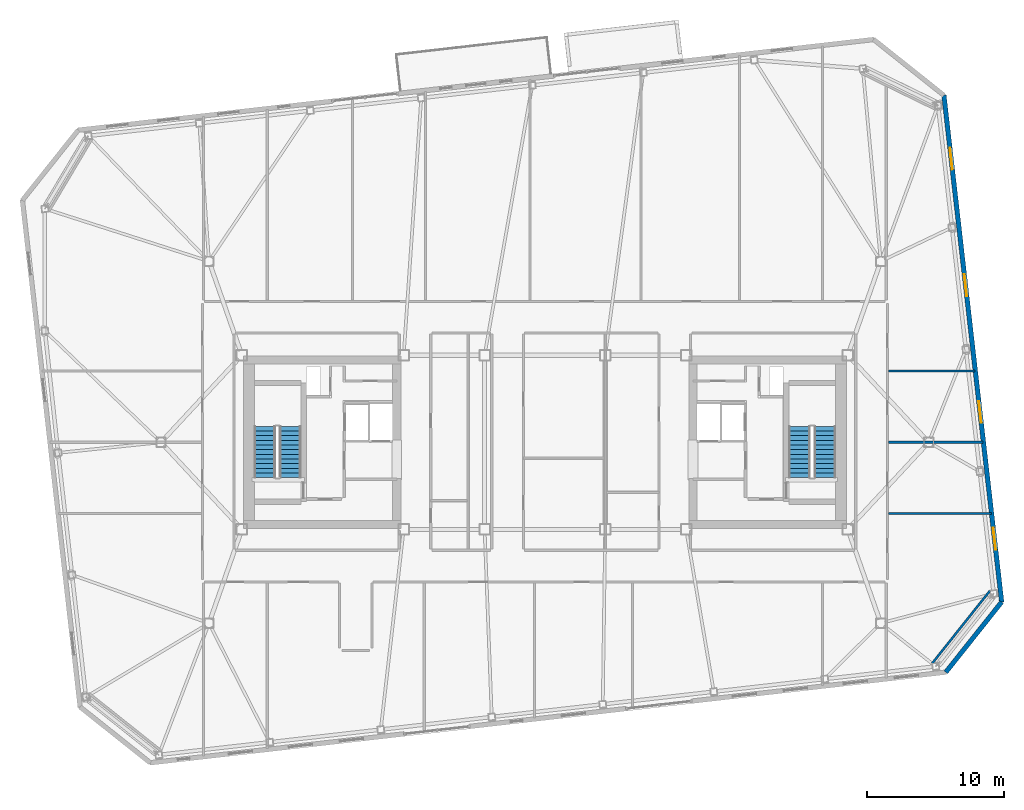
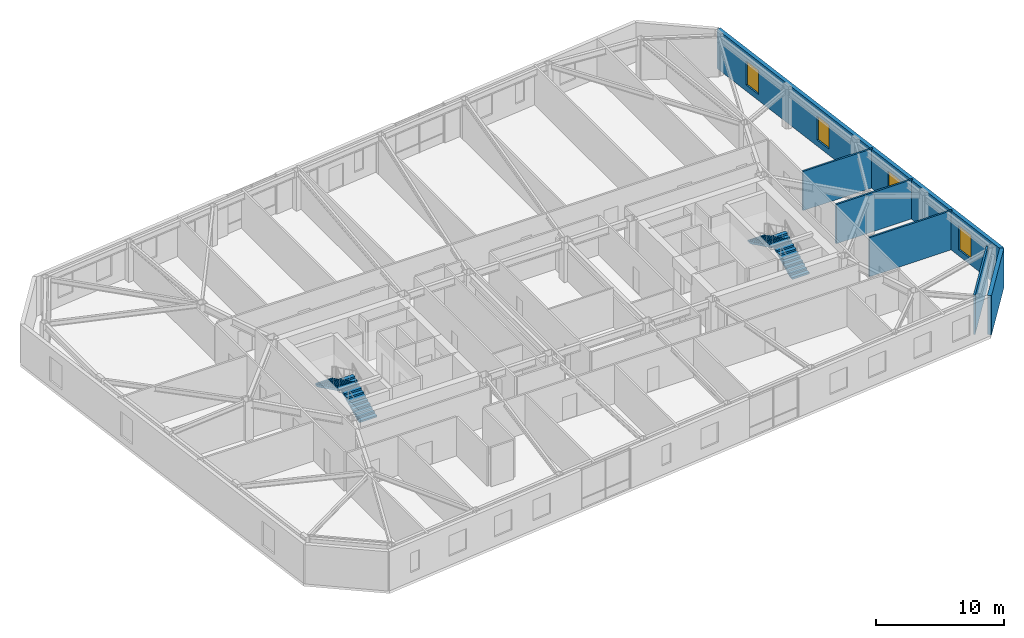
# One storey, part 16 of 20: 6 walls, 4 stair flights, 4 windows, 4 openings, 2 elements without a shape of their own.
"""IFC4 building model written with IfcOpenShell, lengths in metres."""

from ifc_helpers import new_model, si_unit, direction, frame, frame_2d, origin, place, context, subcontext, project, spatial, polyline, rectangle, outline, extrude, material, layer, layer_set, type_object, element, fill, aggregate, save


model = new_model("IFC4")

# Units and contexts
model_context = context("Model", 3, precision=1e-05, world=origin(), true_north=direction((0.0, 1.0)))
body_context = subcontext(model_context, "Body", "Model", "MODEL_VIEW")
ifc_project = project(units=[si_unit("LENGTHUNIT", "METRE"), si_unit("AREAUNIT", "SQUARE_METRE"), si_unit("VOLUMEUNIT", "CUBIC_METRE"), si_unit("PLANEANGLEUNIT", "RADIAN"), si_unit("MASSUNIT", "GRAM", prefix="KILO")], contexts=[model_context])

# Site, building, storey
site_placement = place(None, origin())
site = spatial("IfcSite", under=ifc_project, at=site_placement, CompositionType="ELEMENT")
building_placement = place(site_placement, origin())
building = spatial("IfcBuilding", under=site, at=building_placement, Name="Tavrogorsk Clinical Tower", CompositionType="ELEMENT")
storey_placement = place(building_placement, frame((0.0, 0.0, 251.0)))
storey = spatial("IfcBuildingStorey", under=building, at=storey_placement, Name="L58", CompositionType="ELEMENT", Elevation=251.0)

# Walls
ifc_material_1 = material(Name="Lightweight concrete blockwork B15", Category="masonry")
ifc_layer_1 = layer(ifc_material_1, 0.159912109375)
ifc_layer_set_1 = layer_set([ifc_layer_1], Name="Lightweight concrete blockwork B15")
wall_type_1 = type_object("IfcWallType", Name="PartitionWall_160", PredefinedType="PARTITIONING", material=ifc_layer_set_1)
wall_1_placement = place(storey_placement, frame((28.242431640625, -16.1337890625, 0.0), z_axis=(0.0, 0.0, 1.0), x_axis=(0.622521563328, 0.782602647064, 0.0)))
element("IfcWall", 1, at=wall_1_placement, inside=storey, type_object=wall_type_1, Name="L58 Corner Exoskeleton Brace Furring Wall 1", PredefinedType="PARTITIONING", context=body_context, shape_type="SweptSolid", body=[
    extrude(rectangle(XDim=6.788330078125, YDim=0.159912109375, at=frame_2d((3.39404296875, 0.0))), origin(), (0.0, 0.0, 1.0), 3.739990234375),
])
wall_2_placement = place(storey_placement, frame((25.06494140625, -5.199951171875, 0.0), z_axis=(0.0, 0.0, 1.0), x_axis=(1.0, 0.0, 0.0)))
element("IfcWall", 2, at=wall_2_placement, inside=storey, type_object=wall_type_1, Name="L58 E Wing Divider 1", PredefinedType="PARTITIONING", context=body_context, shape_type="SweptSolid", body=[
    extrude(rectangle(XDim=7.498046875, YDim=0.159912109375, at=frame_2d((3.7490234375, 0.0))), origin(), (0.0, 0.0, 1.0), 3.739990234375),
])
wall_3_placement = place(storey_placement, frame((25.06494140625, 0.0, 0.0), z_axis=(0.0, 0.0, 1.0), x_axis=(1.0, 0.0, 0.0)))
element("IfcWall", 3, at=wall_3_placement, inside=storey, type_object=wall_type_1, Name="L58 E Wing Divider 2", PredefinedType="PARTITIONING", context=body_context, shape_type="SweptSolid", body=[
    extrude(rectangle(XDim=6.905517578125, YDim=0.159912109375, at=frame_2d((3.45263671875, 0.0))), origin(), (0.0, 0.0, 1.0), 3.739990234375),
])
wall_4_placement = place(storey_placement, frame((25.06494140625, 5.199951171875, 0.0), z_axis=(0.0, 0.0, 1.0), x_axis=(1.0, 0.0, 0.0)))
element("IfcWall", 4, at=wall_4_placement, inside=storey, type_object=wall_type_1, Name="L58 E Wing Divider 3", PredefinedType="PARTITIONING", context=body_context, shape_type="SweptSolid", body=[
    extrude(rectangle(XDim=6.313232421875, YDim=0.159912109375, at=frame_2d((3.15673828125, 0.0))), origin(), (0.0, 0.0, 1.0), 3.739990234375),
])

# Wall, openings, windows
ifc_material_2 = material(Name="Precast concrete B45 with limestone cladding", Category="masonry")
ifc_layer_2 = layer(ifc_material_2, 0.340087890625)
ifc_layer_set_2 = layer_set([ifc_layer_2], Name="Precast concrete B45 with limestone cladding")
wall_type_2 = type_object("IfcWallType", Name="PrecastLimestoneWall_340", PredefinedType="STANDARD", material=ifc_layer_set_2)
wall_5_placement = place(storey_placement, frame((33.318115234375, -11.65087890625, 0.0), z_axis=(0.0, 0.0, 1.0), x_axis=(-0.11320360501, 0.9935718111, 0.0)))
wall_5 = element("IfcWall", 5, at=wall_5_placement, inside=storey, type_object=wall_type_2, Name="L58 E Pleated Limestone Wing Wall", PredefinedType="STANDARD", context=body_context, shape_type="SweptSolid", body=[
    extrude(rectangle(XDim=37.199951171875, YDim=0.340087890625, at=frame_2d((18.60009765625, 0.0))), origin(), (0.0, 0.0, 1.0), 3.739990234375),
])
opening_1_placement = place(wall_5_placement, frame((3.85009765625, 0.0, 0.580078125)))
opening_1 = element("IfcOpeningElement", 6, at=opening_1_placement, cuts=wall_5, Name="Opening WN-07", PredefinedType="OPENING", context=body_context, shape_type="SweptSolid", body=[
    extrude(rectangle(XDim=1.60009765625, YDim=2.300048828125, at=frame_2d((0.800048828125, 1.14990234375))), frame((0.0, 0.179931640625, 0.0), z_axis=(0.0, -1.0, 0.0), x_axis=(1.0, 0.0, 0.0)), (0.0, 0.0, 1.0), 0.360107421875),
])
opening_2_placement = place(wall_5_placement, frame((13.14990234375, 0.0, 0.580078125)))
opening_2 = element("IfcOpeningElement", 7, at=opening_2_placement, cuts=wall_5, Name="Opening WN-07", PredefinedType="OPENING", context=body_context, shape_type="SweptSolid", body=[
    extrude(rectangle(XDim=1.60009765625, YDim=2.300048828125, at=frame_2d((0.800048828125, 1.14990234375))), frame((0.0, 0.179931640625, 0.0), z_axis=(0.0, -1.0, 0.0), x_axis=(1.0, 0.0, 0.0)), (0.0, 0.0, 1.0), 0.360107421875),
])
opening_3_placement = place(wall_5_placement, frame((22.449951171875, 0.0, 0.580078125)))
opening_3 = element("IfcOpeningElement", 8, at=opening_3_placement, cuts=wall_5, Name="Opening WN-07", PredefinedType="OPENING", context=body_context, shape_type="SweptSolid", body=[
    extrude(rectangle(XDim=1.60009765625, YDim=2.300048828125, at=frame_2d((0.800048828125, 1.14990234375))), frame((0.0, 0.179931640625, 0.0), z_axis=(0.0, -1.0, 0.0), x_axis=(1.0, 0.0, 0.0)), (0.0, 0.0, 1.0), 0.360107421875),
])
opening_4_placement = place(wall_5_placement, frame((31.75, 0.0, 0.580078125)))
opening_4 = element("IfcOpeningElement", 9, at=opening_4_placement, cuts=wall_5, Name="Opening WN-07", PredefinedType="OPENING", context=body_context, shape_type="SweptSolid", body=[
    extrude(rectangle(XDim=1.60009765625, YDim=2.300048828125, at=frame_2d((0.800048828125, 1.14990234375))), frame((0.0, 0.179931640625, 0.0), z_axis=(0.0, -1.0, 0.0), x_axis=(1.0, 0.0, 0.0)), (0.0, 0.0, 1.0), 0.360107421875),
])
ifc_material_3 = material(Name="Thermally broken aluminium frame and triple IGU", Category="aluminium")
window_type = type_object("IfcWindowType", Name="PleatSlotWin_1600x2300", PartitioningType="SINGLE_PANEL", PredefinedType="WINDOW", material=ifc_material_3)
window_1_placement = place(opening_1_placement, origin())
window_1 = element("IfcWindow", 10, at=window_1_placement, inside=storey, type_object=window_type, Name="L58 E Pleat Slot Window 1", OverallHeight=2.300048828125, OverallWidth=1.60009765625, PartitioningType="SINGLE_PANEL", PredefinedType="WINDOW", context=body_context, shape_type="SweptSolid", body=[
    extrude(rectangle(XDim=1.60009765625, YDim=2.300048828125, at=frame_2d((0.800048828125, 1.14990234375))), frame((0.0, 0.030029296875, 0.0), z_axis=(0.0, -1.0, 0.0), x_axis=(1.0, 0.0, 0.0)), (0.0, 0.0, 1.0), 0.06005859375),
])
fill(opening_1, window_1)
window_2_placement = place(opening_2_placement, origin())
window_2 = element("IfcWindow", 11, at=window_2_placement, inside=storey, type_object=window_type, Name="L58 E Pleat Slot Window 2", OverallHeight=2.300048828125, OverallWidth=1.60009765625, PartitioningType="SINGLE_PANEL", PredefinedType="WINDOW", context=body_context, shape_type="SweptSolid", body=[
    extrude(rectangle(XDim=1.60009765625, YDim=2.300048828125, at=frame_2d((0.800048828125, 1.14990234375))), frame((0.0, 0.030029296875, 0.0), z_axis=(0.0, -1.0, 0.0), x_axis=(1.0, 0.0, 0.0)), (0.0, 0.0, 1.0), 0.06005859375),
])
fill(opening_2, window_2)
window_3_placement = place(opening_3_placement, origin())
window_3 = element("IfcWindow", 12, at=window_3_placement, inside=storey, type_object=window_type, Name="L58 E Pleat Slot Window 3", OverallHeight=2.300048828125, OverallWidth=1.60009765625, PartitioningType="SINGLE_PANEL", PredefinedType="WINDOW", context=body_context, shape_type="SweptSolid", body=[
    extrude(rectangle(XDim=1.60009765625, YDim=2.300048828125, at=frame_2d((0.800048828125, 1.14990234375))), frame((0.0, 0.030029296875, 0.0), z_axis=(0.0, -1.0, 0.0), x_axis=(1.0, 0.0, 0.0)), (0.0, 0.0, 1.0), 0.06005859375),
])
fill(opening_3, window_3)
window_4_placement = place(opening_4_placement, origin())
window_4 = element("IfcWindow", 13, at=window_4_placement, inside=storey, type_object=window_type, Name="L58 E Pleat Slot Window 4", OverallHeight=2.300048828125, OverallWidth=1.60009765625, PartitioningType="SINGLE_PANEL", PredefinedType="WINDOW", context=body_context, shape_type="SweptSolid", body=[
    extrude(rectangle(XDim=1.60009765625, YDim=2.300048828125, at=frame_2d((0.800048828125, 1.14990234375))), frame((0.0, 0.030029296875, 0.0), z_axis=(0.0, -1.0, 0.0), x_axis=(1.0, 0.0, 0.0)), (0.0, 0.0, 1.0), 0.06005859375),
])
fill(opening_4, window_4)

# Wall
wall_6_placement = place(storey_placement, frame((29.241943359375, -16.775146484375, 0.0), z_axis=(0.0, 0.0, 1.0), x_axis=(0.62252823689, 0.78259733853, 0.0)))
element("IfcWall", 14, at=wall_6_placement, inside=storey, type_object=wall_type_2, Name="L58 Chamfered Corner Wall 1", PredefinedType="STANDARD", context=body_context, shape_type="SweptSolid", body=[
    extrude(rectangle(XDim=6.5478515625, YDim=0.340087890625, at=frame_2d((3.27392578125, 0.0))), origin(), (0.0, 0.0, 1.0), 3.739990234375),
])

# Stair, stair flights
ifc_material_4 = material(Name="Concrete B60", Category="concrete")
stair_type = type_object("IfcStairType", Name="CoreStairAssembly", PredefinedType="HALF_TURN_STAIR", material=ifc_material_4)
stair_1_placement = place(storey_placement, origin())
stair_1 = element("IfcStair", 15, at=stair_1_placement, inside=storey, type_object=stair_type, Name="L58 ST-W", PredefinedType="HALF_TURN_STAIR")
ifc_material_5 = material(Name="Concrete B60", Category="concrete")
stair_flight_type = type_object("IfcStairFlightType", Name="CoreStairFlight", PredefinedType="STRAIGHT", material=ifc_material_5)
stair_flight_1_placement = place(storey_placement, frame((-18.574951171875, -2.574951171875, 0.0), z_axis=(0.0, 0.0, 1.0), x_axis=(0.0, 1.0, 0.0)))
stair_flight_1 = element("IfcStairFlight", 16, at=stair_flight_1_placement, type_object=stair_flight_type, Name="ST-W flight 1", NumberOfRisers=12, NumberOfTreads=11, PredefinedType="STRAIGHT", RiserHeight=0.166666667, TreadLength=0.34, context=body_context, shape_type="SweptSolid", body=[
    extrude(outline(polyline([(0.0, 0.0), (0.0, 0.166748046875), (0.340087890625, 0.166748046875), (0.340087890625, 0.333251953125), (0.679931640625, 0.333251953125), (0.679931640625, 0.5), (1.02001953125, 0.5), (1.02001953125, 0.666748046875), (1.360107421875, 0.666748046875), (1.360107421875, 0.833251953125), (1.699951171875, 0.833251953125), (1.699951171875, 1.0), (2.0400390625, 1.0), (2.0400390625, 1.166748046875), (2.3798828125, 1.166748046875), (2.3798828125, 1.333251953125), (2.719970703125, 1.333251953125), (2.719970703125, 1.5), (3.06005859375, 1.5), (3.06005859375, 1.666748046875), (3.39990234375, 1.666748046875), (3.39990234375, 1.833251953125), (3.739990234375, 1.833251953125), (3.739990234375, 2.0), (3.739990234375, 1.66650390625), (0.340576171875, 0.0), (0.0, 0.0)])), frame((0.0, 0.77490234375, 0.0), z_axis=(0.0, -1.0, 0.0), x_axis=(1.0, 0.0, 0.0)), (0.0, 0.0, 1.0), 1.550048828125),
])
stair_flight_2_placement = place(storey_placement, frame((-20.425048828125, 1.1650390625, 2.0), z_axis=(0.0, 0.0, 1.0), x_axis=(0.0, -1.0, 0.0)))
stair_flight_2 = element("IfcStairFlight", 17, at=stair_flight_2_placement, type_object=stair_flight_type, Name="ST-W flight 2", NumberOfRisers=12, NumberOfTreads=11, PredefinedType="STRAIGHT", RiserHeight=0.166666667, TreadLength=0.34, context=body_context, shape_type="SweptSolid", body=[
    extrude(outline(polyline([(0.0, 0.0), (0.0, 0.166748046875), (0.340087890625, 0.166748046875), (0.340087890625, 0.333251953125), (0.679931640625, 0.333251953125), (0.679931640625, 0.5), (1.02001953125, 0.5), (1.02001953125, 0.666748046875), (1.360107421875, 0.666748046875), (1.360107421875, 0.833251953125), (1.699951171875, 0.833251953125), (1.699951171875, 1.0), (2.0400390625, 1.0), (2.0400390625, 1.166748046875), (2.3798828125, 1.166748046875), (2.3798828125, 1.333251953125), (2.719970703125, 1.333251953125), (2.719970703125, 1.5), (3.06005859375, 1.5), (3.06005859375, 1.666748046875), (3.39990234375, 1.666748046875), (3.39990234375, 1.833251953125), (3.739990234375, 1.833251953125), (3.739990234375, 2.0), (3.739990234375, 1.66650390625), (0.340576171875, 0.0), (0.0, 0.0)])), frame((0.0, 0.77490234375, 0.0), z_axis=(0.0, -1.0, 0.0), x_axis=(1.0, 0.0, 0.0)), (0.0, 0.0, 1.0), 1.550048828125),
])
aggregate(stair_1, [stair_flight_1, stair_flight_2])

stair_2_placement = place(storey_placement, origin())
stair_2 = element("IfcStair", 18, at=stair_2_placement, inside=storey, type_object=stair_type, Name="L58 ST-E", PredefinedType="HALF_TURN_STAIR")
stair_flight_3_placement = place(storey_placement, frame((20.425048828125, -2.574951171875, 0.0), z_axis=(0.0, 0.0, 1.0), x_axis=(0.0, 1.0, 0.0)))
stair_flight_3 = element("IfcStairFlight", 19, at=stair_flight_3_placement, type_object=stair_flight_type, Name="ST-E flight 1", NumberOfRisers=12, NumberOfTreads=11, PredefinedType="STRAIGHT", RiserHeight=0.166666667, TreadLength=0.34, context=body_context, shape_type="SweptSolid", body=[
    extrude(outline(polyline([(0.0, 0.0), (0.0, 0.166748046875), (0.340087890625, 0.166748046875), (0.340087890625, 0.333251953125), (0.679931640625, 0.333251953125), (0.679931640625, 0.5), (1.02001953125, 0.5), (1.02001953125, 0.666748046875), (1.360107421875, 0.666748046875), (1.360107421875, 0.833251953125), (1.699951171875, 0.833251953125), (1.699951171875, 1.0), (2.0400390625, 1.0), (2.0400390625, 1.166748046875), (2.3798828125, 1.166748046875), (2.3798828125, 1.333251953125), (2.719970703125, 1.333251953125), (2.719970703125, 1.5), (3.06005859375, 1.5), (3.06005859375, 1.666748046875), (3.39990234375, 1.666748046875), (3.39990234375, 1.833251953125), (3.739990234375, 1.833251953125), (3.739990234375, 2.0), (3.739990234375, 1.66650390625), (0.340576171875, 0.0), (0.0, 0.0)])), frame((0.0, 0.77490234375, 0.0), z_axis=(0.0, -1.0, 0.0), x_axis=(1.0, 0.0, 0.0)), (0.0, 0.0, 1.0), 1.550048828125),
])
stair_flight_4_placement = place(storey_placement, frame((18.574951171875, 1.1650390625, 2.0), z_axis=(0.0, 0.0, 1.0), x_axis=(0.0, -1.0, 0.0)))
stair_flight_4 = element("IfcStairFlight", 20, at=stair_flight_4_placement, type_object=stair_flight_type, Name="ST-E flight 2", NumberOfRisers=12, NumberOfTreads=11, PredefinedType="STRAIGHT", RiserHeight=0.166666667, TreadLength=0.34, context=body_context, shape_type="SweptSolid", body=[
    extrude(outline(polyline([(0.0, 0.0), (0.0, 0.166748046875), (0.340087890625, 0.166748046875), (0.340087890625, 0.333251953125), (0.679931640625, 0.333251953125), (0.679931640625, 0.5), (1.02001953125, 0.5), (1.02001953125, 0.666748046875), (1.360107421875, 0.666748046875), (1.360107421875, 0.833251953125), (1.699951171875, 0.833251953125), (1.699951171875, 1.0), (2.0400390625, 1.0), (2.0400390625, 1.166748046875), (2.3798828125, 1.166748046875), (2.3798828125, 1.333251953125), (2.719970703125, 1.333251953125), (2.719970703125, 1.5), (3.06005859375, 1.5), (3.06005859375, 1.666748046875), (3.39990234375, 1.666748046875), (3.39990234375, 1.833251953125), (3.739990234375, 1.833251953125), (3.739990234375, 2.0), (3.739990234375, 1.66650390625), (0.340576171875, 0.0), (0.0, 0.0)])), frame((0.0, 0.77490234375, 0.0), z_axis=(0.0, -1.0, 0.0), x_axis=(1.0, 0.0, 0.0)), (0.0, 0.0, 1.0), 1.550048828125),
])
aggregate(stair_2, [stair_flight_3, stair_flight_4])

save(model, "model.ifc")
